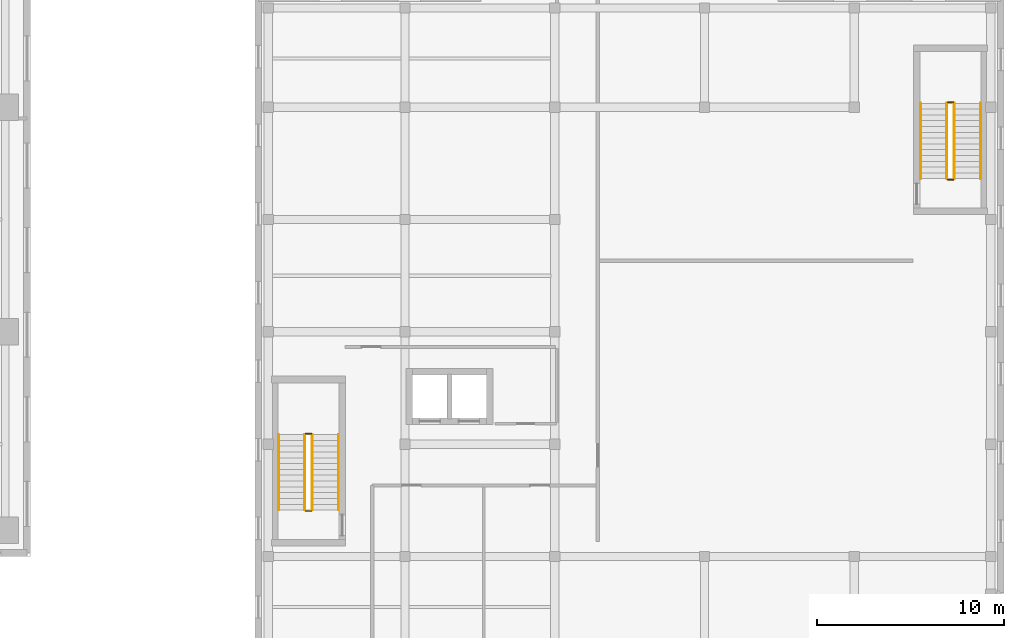
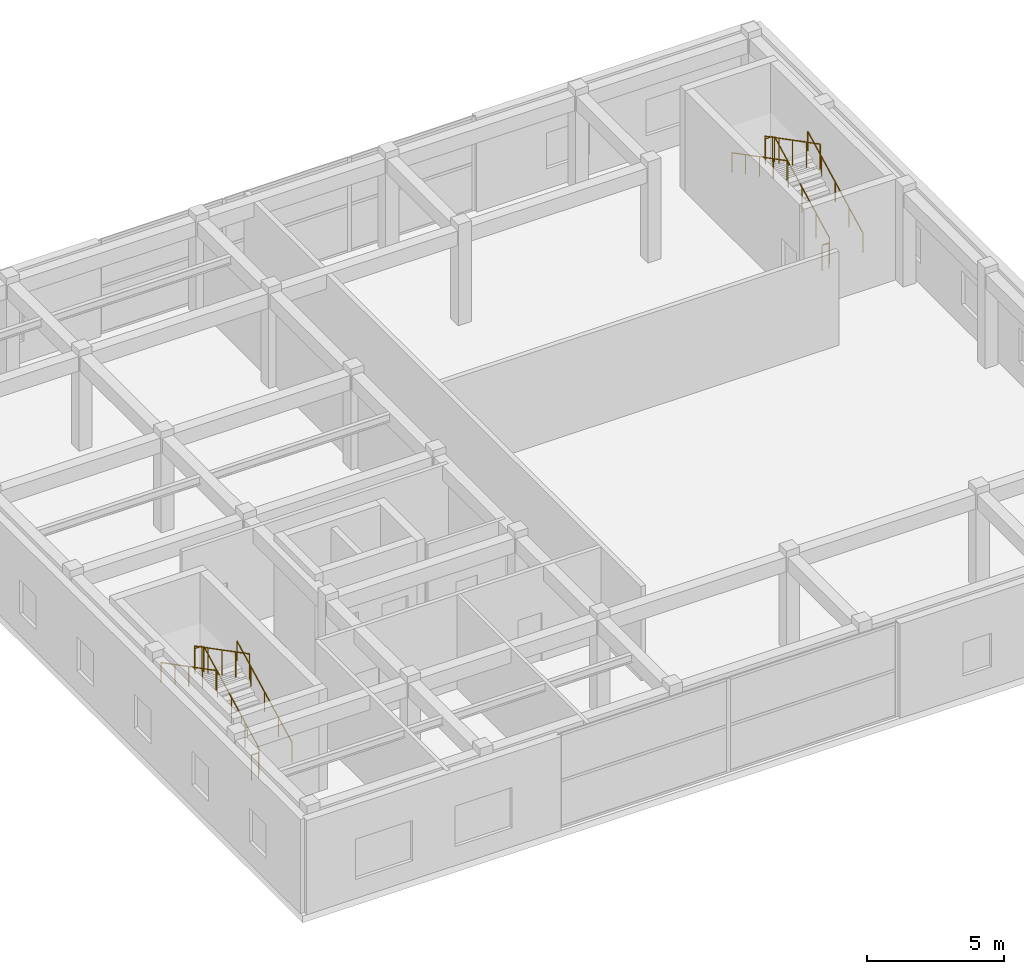
# One storey, part 26 of 26: 12 railings.
"""IFC4 building model written with IfcOpenShell, lengths in metres."""

from ifc_helpers import new_model, si_unit, direction, frame, origin, origin_2d, place, context, subcontext, project, spatial, circle, extrude, material, type_object, element, save


model = new_model("IFC4")

# Units and contexts
model_context = context("Model", 3, precision=1e-05, world=origin(), true_north=direction((0.0, 1.0)))
body_context = subcontext(model_context, "Body", "Model", "MODEL_VIEW")
ifc_project = project(units=[si_unit("LENGTHUNIT", "METRE"), si_unit("AREAUNIT", "SQUARE_METRE"), si_unit("VOLUMEUNIT", "CUBIC_METRE"), si_unit("PLANEANGLEUNIT", "RADIAN"), si_unit("MASSUNIT", "GRAM", prefix="KILO")], contexts=[model_context])

# Site, building, storey
site_placement = place(None, origin())
site = spatial("IfcSite", under=ifc_project, at=site_placement, CompositionType="ELEMENT")
building_placement = place(site_placement, origin())
building = spatial("IfcBuilding", under=site, at=building_placement, Name="Khoralis Quay Care Tower", CompositionType="ELEMENT")
storey_placement = place(building_placement, frame((0.0, 0.0, 13.5)))
storey = spatial("IfcBuildingStorey", under=building, at=storey_placement, Name="L03", CompositionType="ELEMENT", Elevation=13.5)

# Railings
ifc_material = material(Name="Brushed stainless steel", Category="steel")
railing_type_1 = type_object("IfcRailingType", Name="RL-GUARD-1150", PredefinedType="GUARDRAIL", material=ifc_material)
railing_1_placement = place(storey_placement, frame((71.050048828125, 14.47998046875, 0.16064453125)))
element("IfcRailing", 1, at=railing_1_placement, inside=storey, type_object=railing_type_1, Name="L03 ST-S1 stair guard 1", PredefinedType="GUARDRAIL", context=body_context, shape_type="SweptSolid", body=[
    extrude(circle(Radius=0.02392578125, at=origin_2d()), frame((0.0, 0.0, 1.1259765625), z_axis=(0.0, 0.887780577991, 0.46026692836), x_axis=(-1.0, 0.0, 0.0)), (0.0, 0.0, 1.0), 4.53955078125),
    extrude(circle(Radius=0.02099609375, at=origin_2d()), origin(), (0.0, 0.0, 1.0), 1.101806640625),
    extrude(circle(Radius=0.02099609375, at=origin_2d()), frame((0.0, 1.007568359375, 0.5224609375)), (0.0, 0.0, 1.0), 1.101806640625),
    extrude(circle(Radius=0.02099609375, at=origin_2d()), frame((0.0, 2.01513671875, 1.044677734375)), (0.0, 0.0, 1.0), 1.101806640625),
    extrude(circle(Radius=0.02099609375, at=origin_2d()), frame((0.0, 3.0224609375, 1.56689453125)), (0.0, 0.0, 1.0), 1.101806640625),
    extrude(circle(Radius=0.02099609375, at=origin_2d()), frame((0.0, 4.030029296875, 2.08935546875)), (0.0, 0.0, 1.0), 1.101806640625),
])
railing_2_placement = place(storey_placement, frame((71.0, 18.56005859375, 2.25)))
element("IfcRailing", 2, at=railing_2_placement, inside=storey, type_object=railing_type_1, Name="L03 ST-S1 stair guard 2", PredefinedType="GUARDRAIL", context=body_context, shape_type="SweptSolid", body=[
    extrude(circle(Radius=0.02392578125, at=origin_2d()), frame((0.0, 0.0, 1.1259765625), z_axis=(-1.0, 0.0, 0.0), x_axis=(0.0, -1.0, 0.0)), (0.0, 0.0, 1.0), 0.300048828125),
    extrude(circle(Radius=0.02099609375, at=origin_2d()), origin(), (0.0, 0.0, 1.0), 1.101806640625),
    extrude(circle(Radius=0.02099609375, at=origin_2d()), frame((-0.300048828125, 0.0, 0.0)), (0.0, 0.0, 1.0), 1.101806640625),
])
railing_3_placement = place(storey_placement, frame((70.64990234375, 18.510009765625, 2.41064453125)))
element("IfcRailing", 3, at=railing_3_placement, inside=storey, type_object=railing_type_1, Name="L03 ST-S1 stair guard 3", PredefinedType="GUARDRAIL", context=body_context, shape_type="SweptSolid", body=[
    extrude(circle(Radius=0.02392578125, at=origin_2d()), frame((0.0, 0.0, 1.1259765625), z_axis=(0.0, -0.887780577991, 0.46026692836), x_axis=(1.0, 0.0, 0.0)), (0.0, 0.0, 1.0), 4.53955078125),
    extrude(circle(Radius=0.02099609375, at=origin_2d()), origin(), (0.0, 0.0, 1.0), 1.101806640625),
    extrude(circle(Radius=0.02099609375, at=origin_2d()), frame((0.0, -1.007568359375, 0.5224609375)), (0.0, 0.0, 1.0), 1.101806640625),
    extrude(circle(Radius=0.02099609375, at=origin_2d()), frame((0.0, -2.01513671875, 1.044677734375)), (0.0, 0.0, 1.0), 1.101806640625),
    extrude(circle(Radius=0.02099609375, at=origin_2d()), frame((0.0, -3.0224609375, 1.56689453125)), (0.0, 0.0, 1.0), 1.101806640625),
    extrude(circle(Radius=0.02099609375, at=origin_2d()), frame((0.0, -4.030029296875, 2.08935546875)), (0.0, 0.0, 1.0), 1.101806640625),
])
railing_4_placement = place(storey_placement, frame((71.0, 14.429931640625, 0.0)))
element("IfcRailing", 4, at=railing_4_placement, inside=storey, type_object=railing_type_1, Name="L03 ST-S1 stair guard 4", PredefinedType="GUARDRAIL", context=body_context, shape_type="SweptSolid", body=[
    extrude(circle(Radius=0.02392578125, at=origin_2d()), frame((0.0, 0.0, 1.1259765625), z_axis=(-1.0, 0.0, 0.0), x_axis=(0.0, -1.0, 0.0)), (0.0, 0.0, 1.0), 0.300048828125),
    extrude(circle(Radius=0.02099609375, at=origin_2d()), origin(), (0.0, 0.0, 1.0), 1.101806640625),
    extrude(circle(Radius=0.02099609375, at=origin_2d()), frame((-0.300048828125, 0.0, 0.0)), (0.0, 0.0, 1.0), 1.101806640625),
])
railing_5_placement = place(storey_placement, frame((105.35009765625, 32.179931640625, 0.16064453125)))
element("IfcRailing", 5, at=railing_5_placement, inside=storey, type_object=railing_type_1, Name="L03 ST-S2 stair guard 1", PredefinedType="GUARDRAIL", context=body_context, shape_type="SweptSolid", body=[
    extrude(circle(Radius=0.02392578125, at=origin_2d()), frame((0.0, 0.0, 1.1259765625), z_axis=(0.0, 0.887780577991, 0.46026692836), x_axis=(-1.0, 0.0, 0.0)), (0.0, 0.0, 1.0), 4.53955078125),
    extrude(circle(Radius=0.02099609375, at=origin_2d()), origin(), (0.0, 0.0, 1.0), 1.101806640625),
    extrude(circle(Radius=0.02099609375, at=origin_2d()), frame((0.0, 1.007568359375, 0.5224609375)), (0.0, 0.0, 1.0), 1.101806640625),
    extrude(circle(Radius=0.02099609375, at=origin_2d()), frame((0.0, 2.01513671875, 1.044677734375)), (0.0, 0.0, 1.0), 1.101806640625),
    extrude(circle(Radius=0.02099609375, at=origin_2d()), frame((0.0, 3.0224609375, 1.56689453125)), (0.0, 0.0, 1.0), 1.101806640625),
    extrude(circle(Radius=0.02099609375, at=origin_2d()), frame((0.0, 4.030029296875, 2.08935546875)), (0.0, 0.0, 1.0), 1.101806640625),
])
railing_6_placement = place(storey_placement, frame((105.300048828125, 36.260009765625, 2.25)))
element("IfcRailing", 6, at=railing_6_placement, inside=storey, type_object=railing_type_1, Name="L03 ST-S2 stair guard 2", PredefinedType="GUARDRAIL", context=body_context, shape_type="SweptSolid", body=[
    extrude(circle(Radius=0.02392578125, at=origin_2d()), frame((0.0, 0.0, 1.1259765625), z_axis=(-1.0, 0.0, 0.0), x_axis=(0.0, -1.0, 0.0)), (0.0, 0.0, 1.0), 0.300048828125),
    extrude(circle(Radius=0.02099609375, at=origin_2d()), origin(), (0.0, 0.0, 1.0), 1.101806640625),
    extrude(circle(Radius=0.02099609375, at=origin_2d()), frame((-0.300048828125, 0.0, 0.0)), (0.0, 0.0, 1.0), 1.101806640625),
])
railing_7_placement = place(storey_placement, frame((104.949951171875, 36.2099609375, 2.41064453125)))
element("IfcRailing", 7, at=railing_7_placement, inside=storey, type_object=railing_type_1, Name="L03 ST-S2 stair guard 3", PredefinedType="GUARDRAIL", context=body_context, shape_type="SweptSolid", body=[
    extrude(circle(Radius=0.02392578125, at=origin_2d()), frame((0.0, 0.0, 1.1259765625), z_axis=(0.0, -0.887780577991, 0.46026692836), x_axis=(1.0, 0.0, 0.0)), (0.0, 0.0, 1.0), 4.53955078125),
    extrude(circle(Radius=0.02099609375, at=origin_2d()), origin(), (0.0, 0.0, 1.0), 1.101806640625),
    extrude(circle(Radius=0.02099609375, at=origin_2d()), frame((0.0, -1.007568359375, 0.5224609375)), (0.0, 0.0, 1.0), 1.101806640625),
    extrude(circle(Radius=0.02099609375, at=origin_2d()), frame((0.0, -2.01513671875, 1.044677734375)), (0.0, 0.0, 1.0), 1.101806640625),
    extrude(circle(Radius=0.02099609375, at=origin_2d()), frame((0.0, -3.0224609375, 1.56689453125)), (0.0, 0.0, 1.0), 1.101806640625),
    extrude(circle(Radius=0.02099609375, at=origin_2d()), frame((0.0, -4.030029296875, 2.08935546875)), (0.0, 0.0, 1.0), 1.101806640625),
])
railing_8_placement = place(storey_placement, frame((105.300048828125, 32.1298828125, 0.0)))
element("IfcRailing", 8, at=railing_8_placement, inside=storey, type_object=railing_type_1, Name="L03 ST-S2 stair guard 4", PredefinedType="GUARDRAIL", context=body_context, shape_type="SweptSolid", body=[
    extrude(circle(Radius=0.02392578125, at=origin_2d()), frame((0.0, 0.0, 1.1259765625), z_axis=(-1.0, 0.0, 0.0), x_axis=(0.0, -1.0, 0.0)), (0.0, 0.0, 1.0), 0.300048828125),
    extrude(circle(Radius=0.02099609375, at=origin_2d()), origin(), (0.0, 0.0, 1.0), 1.101806640625),
    extrude(circle(Radius=0.02099609375, at=origin_2d()), frame((-0.300048828125, 0.0, 0.0)), (0.0, 0.0, 1.0), 1.101806640625),
])
railing_type_2 = type_object("IfcRailingType", Name="RL-HAND-900", PredefinedType="HANDRAIL", material=ifc_material)
railing_9_placement = place(storey_placement, frame((72.449951171875, 14.47998046875, 0.16064453125)))
element("IfcRailing", 9, at=railing_9_placement, inside=storey, type_object=railing_type_2, Name="L03 ST-S1 stair handrail 1", PredefinedType="HANDRAIL", context=body_context, shape_type="SweptSolid", body=[
    extrude(circle(Radius=0.02392578125, at=origin_2d()), frame((0.0, 0.0, 0.8759765625), z_axis=(0.0, 0.887780577991, 0.46026692836), x_axis=(-1.0, 0.0, 0.0)), (0.0, 0.0, 1.0), 4.53955078125),
    extrude(circle(Radius=0.02099609375, at=origin_2d()), origin(), (0.0, 0.0, 1.0), 0.851806640625),
    extrude(circle(Radius=0.02099609375, at=origin_2d()), frame((0.0, 1.007568359375, 0.5224609375)), (0.0, 0.0, 1.0), 0.851806640625),
    extrude(circle(Radius=0.02099609375, at=origin_2d()), frame((0.0, 2.01513671875, 1.044677734375)), (0.0, 0.0, 1.0), 0.851806640625),
    extrude(circle(Radius=0.02099609375, at=origin_2d()), frame((0.0, 3.0224609375, 1.56689453125)), (0.0, 0.0, 1.0), 0.851806640625),
    extrude(circle(Radius=0.02099609375, at=origin_2d()), frame((0.0, 4.030029296875, 2.08935546875)), (0.0, 0.0, 1.0), 0.851806640625),
])
railing_10_placement = place(storey_placement, frame((69.25, 18.510009765625, 2.41064453125)))
element("IfcRailing", 10, at=railing_10_placement, inside=storey, type_object=railing_type_2, Name="L03 ST-S1 stair handrail 2", PredefinedType="HANDRAIL", context=body_context, shape_type="SweptSolid", body=[
    extrude(circle(Radius=0.02392578125, at=origin_2d()), frame((0.0, 0.0, 0.8759765625), z_axis=(0.0, -0.887780577991, 0.46026692836), x_axis=(1.0, 0.0, 0.0)), (0.0, 0.0, 1.0), 4.53955078125),
    extrude(circle(Radius=0.02099609375, at=origin_2d()), origin(), (0.0, 0.0, 1.0), 0.851806640625),
    extrude(circle(Radius=0.02099609375, at=origin_2d()), frame((0.0, -1.007568359375, 0.5224609375)), (0.0, 0.0, 1.0), 0.851806640625),
    extrude(circle(Radius=0.02099609375, at=origin_2d()), frame((0.0, -2.01513671875, 1.044677734375)), (0.0, 0.0, 1.0), 0.851806640625),
    extrude(circle(Radius=0.02099609375, at=origin_2d()), frame((0.0, -3.0224609375, 1.56689453125)), (0.0, 0.0, 1.0), 0.851806640625),
    extrude(circle(Radius=0.02099609375, at=origin_2d()), frame((0.0, -4.030029296875, 2.08935546875)), (0.0, 0.0, 1.0), 0.851806640625),
])
railing_11_placement = place(storey_placement, frame((106.75, 32.179931640625, 0.16064453125)))
element("IfcRailing", 11, at=railing_11_placement, inside=storey, type_object=railing_type_2, Name="L03 ST-S2 stair handrail 1", PredefinedType="HANDRAIL", context=body_context, shape_type="SweptSolid", body=[
    extrude(circle(Radius=0.02392578125, at=origin_2d()), frame((0.0, 0.0, 0.8759765625), z_axis=(0.0, 0.887780577991, 0.46026692836), x_axis=(-1.0, 0.0, 0.0)), (0.0, 0.0, 1.0), 4.53955078125),
    extrude(circle(Radius=0.02099609375, at=origin_2d()), origin(), (0.0, 0.0, 1.0), 0.851806640625),
    extrude(circle(Radius=0.02099609375, at=origin_2d()), frame((0.0, 1.007568359375, 0.5224609375)), (0.0, 0.0, 1.0), 0.851806640625),
    extrude(circle(Radius=0.02099609375, at=origin_2d()), frame((0.0, 2.01513671875, 1.044677734375)), (0.0, 0.0, 1.0), 0.851806640625),
    extrude(circle(Radius=0.02099609375, at=origin_2d()), frame((0.0, 3.0224609375, 1.56689453125)), (0.0, 0.0, 1.0), 0.851806640625),
    extrude(circle(Radius=0.02099609375, at=origin_2d()), frame((0.0, 4.030029296875, 2.08935546875)), (0.0, 0.0, 1.0), 0.851806640625),
])
railing_12_placement = place(storey_placement, frame((103.550048828125, 36.2099609375, 2.41064453125)))
element("IfcRailing", 12, at=railing_12_placement, inside=storey, type_object=railing_type_2, Name="L03 ST-S2 stair handrail 2", PredefinedType="HANDRAIL", context=body_context, shape_type="SweptSolid", body=[
    extrude(circle(Radius=0.02392578125, at=origin_2d()), frame((0.0, 0.0, 0.8759765625), z_axis=(0.0, -0.887780577991, 0.46026692836), x_axis=(1.0, 0.0, 0.0)), (0.0, 0.0, 1.0), 4.53955078125),
    extrude(circle(Radius=0.02099609375, at=origin_2d()), origin(), (0.0, 0.0, 1.0), 0.851806640625),
    extrude(circle(Radius=0.02099609375, at=origin_2d()), frame((0.0, -1.007568359375, 0.5224609375)), (0.0, 0.0, 1.0), 0.851806640625),
    extrude(circle(Radius=0.02099609375, at=origin_2d()), frame((0.0, -2.01513671875, 1.044677734375)), (0.0, 0.0, 1.0), 0.851806640625),
    extrude(circle(Radius=0.02099609375, at=origin_2d()), frame((0.0, -3.0224609375, 1.56689453125)), (0.0, 0.0, 1.0), 0.851806640625),
    extrude(circle(Radius=0.02099609375, at=origin_2d()), frame((0.0, -4.030029296875, 2.08935546875)), (0.0, 0.0, 1.0), 0.851806640625),
])

save(model, "model.ifc")
